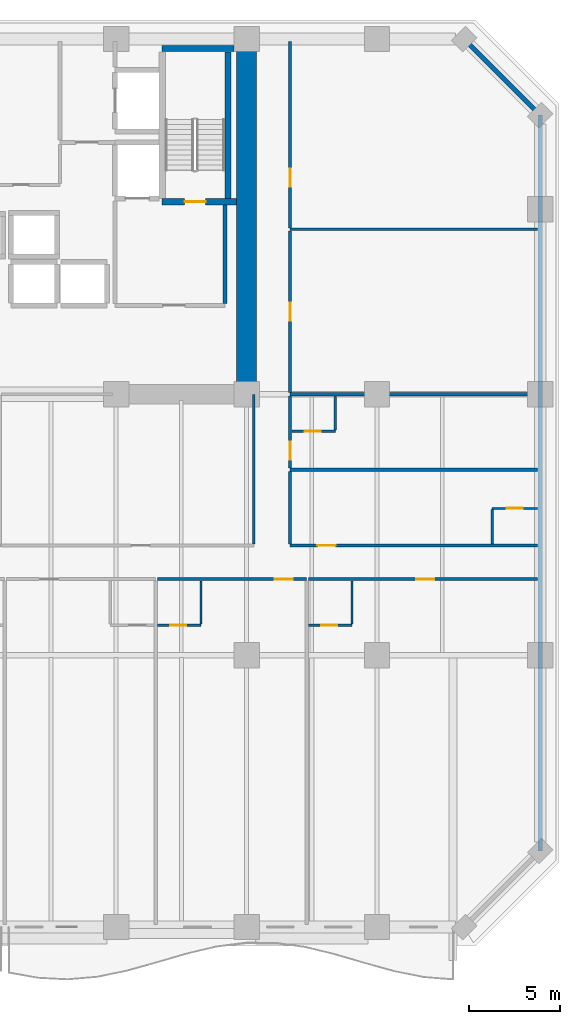
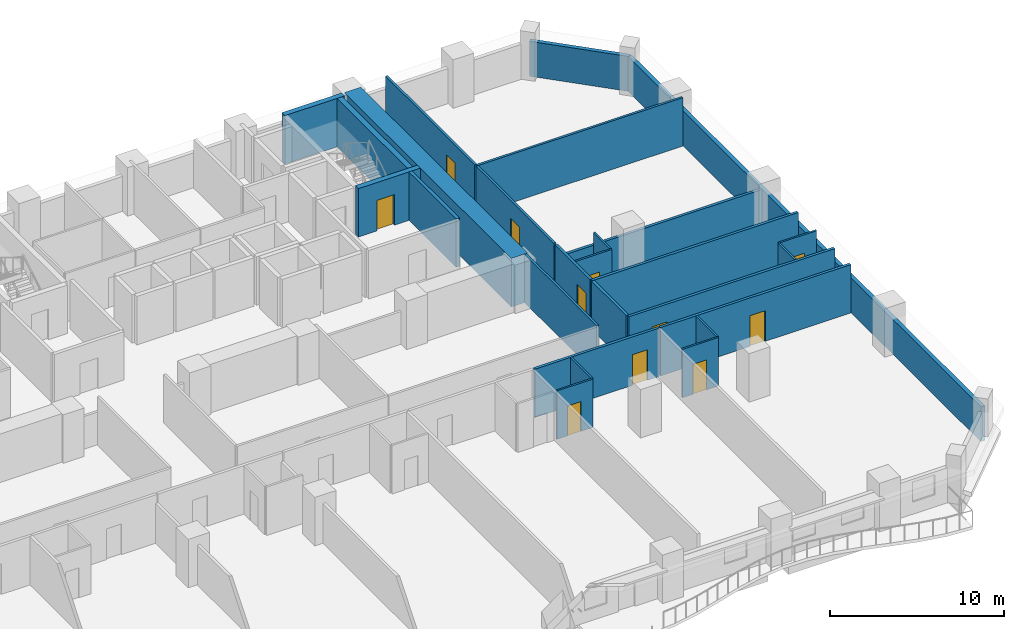
# One storey, part 9 of 14: 26 walls, 11 doors, 11 openings.
"""IFC4 building model written with IfcOpenShell, lengths in metres."""

from ifc_helpers import new_model, si_unit, direction, frame, frame_2d, origin, place, context, subcontext, project, spatial, rectangle, extrude, material, layer, layer_set, type_object, element, fill, save


model = new_model("IFC4")

# Units and contexts
model_context = context("Model", 3, precision=1e-05, world=origin(), true_north=direction((0.0, 1.0)))
body_context = subcontext(model_context, "Body", "Model", "MODEL_VIEW")
ifc_project = project(units=[si_unit("LENGTHUNIT", "METRE"), si_unit("AREAUNIT", "SQUARE_METRE"), si_unit("VOLUMEUNIT", "CUBIC_METRE"), si_unit("PLANEANGLEUNIT", "RADIAN"), si_unit("MASSUNIT", "GRAM", prefix="KILO")], contexts=[model_context])

# Site, building, storey
site_placement = place(None, origin())
site = spatial("IfcSite", under=ifc_project, at=site_placement, CompositionType="ELEMENT")
building_placement = place(site_placement, origin())
building = spatial("IfcBuilding", under=site, at=building_placement, Name="Kaelvorn Grand Hotel", CompositionType="ELEMENT")
storey_placement = place(building_placement, frame((0.0, 0.0, 76.39990234375)))
storey = spatial("IfcBuildingStorey", under=building, at=storey_placement, Name="L17", CompositionType="ELEMENT", Elevation=76.39990234375)

# Walls
ifc_material_1 = material(Name="Concrete C80/95", Category="concrete")
ifc_layer_1 = layer(ifc_material_1, 1.10009765625)
ifc_layer_set_1 = layer_set([ifc_layer_1], Name="Concrete C80/95")
wall_type_1 = type_object("IfcWallType", Name="WL-CORE-1100-C80", PredefinedType="SHEAR", material=ifc_layer_set_1)
wall_1_placement = place(storey_placement, frame((67.800048828125, 29.39990234375, 0.0), z_axis=(0.0, 0.0, 1.0), x_axis=(0.0, 1.0, 0.0)))
element("IfcWall", 1, at=wall_1_placement, inside=storey, type_object=wall_type_1, Name="L17 Rear-Core East Shear Wall", PredefinedType="SHEAR", context=body_context, shape_type="SweptSolid", body=[
    extrude(rectangle(XDim=19.2001953125, YDim=1.10009765625, at=frame_2d((9.60009765625, 0.0))), origin(), (0.0, 0.0, 1.0), 3.400146484375),
])
ifc_material_2 = material(Name="Concrete C40/50", Category="concrete")
ifc_layer_2 = layer(ifc_material_2, 0.260009765625)
ifc_layer_set_2 = layer_set([ifc_layer_2], Name="Concrete C40/50")
wall_type_2 = type_object("IfcWallType", Name="WL-EXT-260-C40", PredefinedType="SOLIDWALL", material=ifc_layer_set_2)
wall_2_placement = place(storey_placement, frame((84.0, 4.199951171875, 0.0), z_axis=(0.0, 0.0, 1.0), x_axis=(0.0, 1.0, 0.0)))
element("IfcWall", 2, at=wall_2_placement, inside=storey, type_object=wall_type_2, Name="L17 Exterior Architectural Concrete Wall 03", PredefinedType="SOLIDWALL", context=body_context, shape_type="SweptSolid", body=[
    extrude(rectangle(XDim=40.60009765625, YDim=0.260009765625, at=frame_2d((20.300048828125, 0.0))), origin(), (0.0, 0.0, 1.0), 2.4501953125),
])
wall_3_placement = place(storey_placement, frame((84.0, 44.800048828125, 0.0), z_axis=(0.0, 0.0, 1.0), x_axis=(-0.707106781187, 0.707106781187, 0.0)))
element("IfcWall", 3, at=wall_3_placement, inside=storey, type_object=wall_type_2, Name="L17 Exterior Architectural Concrete Wall 04", PredefinedType="SOLIDWALL", context=body_context, shape_type="SweptSolid", body=[
    extrude(rectangle(XDim=5.939697265625, YDim=0.260009765625, at=frame_2d((2.9697265625, 0.0))), origin(), (0.0, 0.0, 1.0), 2.4501953125),
])

# Wall, opening, door
ifc_material_3 = material(Name="Moisture-Resistant Tile & Stud Board")
ifc_layer_3 = layer(ifc_material_3, 0.125)
ifc_layer_set_3 = layer_set([ifc_layer_3], Name="Moisture-Resistant Tile & Stud Board")
wall_type_3 = type_object("IfcWallType", Name="WL-PART-125-WET", PredefinedType="PARTITIONING", material=ifc_layer_set_3)
wall_4_placement = place(storey_placement, frame((62.8779296875, 16.64990234375, 0.0), z_axis=(0.0, 0.0, 1.0), x_axis=(1.0, 0.0, 0.0)))
wall_4 = element("IfcWall", 4, at=wall_4_placement, inside=storey, type_object=wall_type_3, Name="L17 En-suite Bathroom L17-08 S Partition", PredefinedType="PARTITIONING", context=body_context, shape_type="SweptSolid", body=[
    extrude(rectangle(XDim=2.405029296875, YDim=0.125, at=frame_2d((1.20263671875, 0.0))), origin(), (0.0, 0.0, 1.0), 3.400146484375),
])
opening_1_placement = place(wall_4_placement, frame((0.705078125, 0.0, 0.0)))
opening_1 = element("IfcOpeningElement", 5, at=opening_1_placement, cuts=wall_4, Name="Opening DI4", PredefinedType="OPENING", context=body_context, shape_type="SweptSolid", body=[
    extrude(rectangle(XDim=0.89990234375, YDim=2.10009765625, at=frame_2d((0.449951171875, 1.050048828125))), frame((0.0, 0.072509765625, 0.0), z_axis=(0.0, -1.0, 0.0), x_axis=(1.0, 0.0, 0.0)), (0.0, 0.0, 1.0), 0.14501953125),
])
ifc_material_4 = material(Name="Timber Veneer Leaf", Category="wood")
door_type_1 = type_object("IfcDoorType", Name="DR-INT-BATH-900x2100", OperationType="NOTDEFINED", PredefinedType="DOOR", material=ifc_material_4)
door_1_placement = place(opening_1_placement, origin())
door_1 = element("IfcDoor", 6, at=door_1_placement, inside=storey, type_object=door_type_1, Name="L17 En-suite Bathroom L17-08 Door", OperationType="SINGLE_SWING_RIGHT", OverallHeight=2.10009765625, OverallWidth=0.89990234375, PredefinedType="DOOR", context=body_context, shape_type="SweptSolid", body=[
    extrude(rectangle(XDim=0.89990234375, YDim=2.10009765625, at=frame_2d((0.449951171875, 1.050048828125))), frame((0.0, 0.02490234375, 0.0), z_axis=(0.0, -1.0, 0.0), x_axis=(1.0, 0.0, 0.0)), (0.0, 0.0, 1.0), 0.050048828125),
])
fill(opening_1, door_1)

# Wall
wall_5_placement = place(storey_placement, frame((65.282958984375, 16.717529296875, 0.0), z_axis=(0.0, 0.0, 1.0), x_axis=(0.0, 1.0, 0.0)))
element("IfcWall", 7, at=wall_5_placement, inside=storey, type_object=wall_type_3, Name="L17 En-suite Bathroom L17-08 E Partition", PredefinedType="PARTITIONING", context=body_context, shape_type="SweptSolid", body=[
    extrude(rectangle(XDim=2.387451171875, YDim=0.125, at=frame_2d((1.19384765625, 0.0))), origin(), (0.0, 0.0, 1.0), 3.400146484375),
])

# Wall, opening, door
wall_6_placement = place(storey_placement, frame((71.211181640625, 16.64990234375, 0.0), z_axis=(0.0, 0.0, 1.0), x_axis=(1.0, 0.0, 0.0)))
wall_6 = element("IfcWall", 8, at=wall_6_placement, inside=storey, type_object=wall_type_3, Name="L17 En-suite Bathroom L17-09 S Partition", PredefinedType="PARTITIONING", context=body_context, shape_type="SweptSolid", body=[
    extrude(rectangle(XDim=2.405029296875, YDim=0.125, at=frame_2d((1.20263671875, 0.0))), origin(), (0.0, 0.0, 1.0), 3.400146484375),
])
opening_2_placement = place(wall_6_placement, frame((0.705078125, 0.0, 0.0)))
opening_2 = element("IfcOpeningElement", 9, at=opening_2_placement, cuts=wall_6, Name="Opening DI4", PredefinedType="OPENING", context=body_context, shape_type="SweptSolid", body=[
    extrude(rectangle(XDim=0.89990234375, YDim=2.10009765625, at=frame_2d((0.449951171875, 1.050048828125))), frame((0.0, 0.072509765625, 0.0), z_axis=(0.0, -1.0, 0.0), x_axis=(1.0, 0.0, 0.0)), (0.0, 0.0, 1.0), 0.14501953125),
])
door_2_placement = place(opening_2_placement, origin())
door_2 = element("IfcDoor", 10, at=door_2_placement, inside=storey, type_object=door_type_1, Name="L17 En-suite Bathroom L17-09 Door", OperationType="SINGLE_SWING_RIGHT", OverallHeight=2.10009765625, OverallWidth=0.89990234375, PredefinedType="DOOR", context=body_context, shape_type="SweptSolid", body=[
    extrude(rectangle(XDim=0.89990234375, YDim=2.10009765625, at=frame_2d((0.449951171875, 1.050048828125))), frame((0.0, 0.02490234375, 0.0), z_axis=(0.0, -1.0, 0.0), x_axis=(1.0, 0.0, 0.0)), (0.0, 0.0, 1.0), 0.050048828125),
])
fill(opening_2, door_2)

# Wall
wall_7_placement = place(storey_placement, frame((73.6162109375, 16.717529296875, 0.0), z_axis=(0.0, 0.0, 1.0), x_axis=(0.0, 1.0, 0.0)))
element("IfcWall", 11, at=wall_7_placement, inside=storey, type_object=wall_type_3, Name="L17 En-suite Bathroom L17-09 E Partition", PredefinedType="PARTITIONING", context=body_context, shape_type="SweptSolid", body=[
    extrude(rectangle(XDim=2.387451171875, YDim=0.125, at=frame_2d((1.19384765625, 0.0))), origin(), (0.0, 0.0, 1.0), 3.400146484375),
])

# Wall, opening, door
wall_8_placement = place(storey_placement, frame((81.35009765625, 23.10009765625, 0.0), z_axis=(0.0, 0.0, 1.0), x_axis=(1.0, 0.0, 0.0)))
wall_8 = element("IfcWall", 12, at=wall_8_placement, inside=storey, type_object=wall_type_3, Name="L17 En-suite Bathroom L17-12 N Partition", PredefinedType="PARTITIONING", context=body_context, shape_type="SweptSolid", body=[
    extrude(rectangle(XDim=2.5, YDim=0.125, at=frame_2d((1.25, 0.0))), origin(), (0.0, 0.0, 1.0), 3.400146484375),
])
opening_3_placement = place(wall_8_placement, frame((0.800048828125, 0.0, 0.0)))
opening_3 = element("IfcOpeningElement", 13, at=opening_3_placement, cuts=wall_8, Name="Opening DI4", PredefinedType="OPENING", context=body_context, shape_type="SweptSolid", body=[
    extrude(rectangle(XDim=0.89990234375, YDim=2.10009765625, at=frame_2d((0.449951171875, 1.050048828125))), frame((0.0, 0.072509765625, 0.0), z_axis=(0.0, -1.0, 0.0), x_axis=(1.0, 0.0, 0.0)), (0.0, 0.0, 1.0), 0.14501953125),
])
door_3_placement = place(opening_3_placement, origin())
door_3 = element("IfcDoor", 14, at=door_3_placement, inside=storey, type_object=door_type_1, Name="L17 En-suite Bathroom L17-12 Door", OperationType="SINGLE_SWING_RIGHT", OverallHeight=2.10009765625, OverallWidth=0.89990234375, PredefinedType="DOOR", context=body_context, shape_type="SweptSolid", body=[
    extrude(rectangle(XDim=0.89990234375, YDim=2.10009765625, at=frame_2d((0.449951171875, 1.050048828125))), frame((0.0, 0.02490234375, 0.0), z_axis=(0.0, -1.0, 0.0), x_axis=(1.0, 0.0, 0.0)), (0.0, 0.0, 1.0), 0.050048828125),
])
fill(opening_3, door_3)

# Wall
wall_9_placement = place(storey_placement, frame((81.35009765625, 21.14501953125, 0.0), z_axis=(0.0, 0.0, 1.0), x_axis=(0.0, 1.0, 0.0)))
element("IfcWall", 15, at=wall_9_placement, inside=storey, type_object=wall_type_3, Name="L17 En-suite Bathroom L17-12 W Partition", PredefinedType="PARTITIONING", context=body_context, shape_type="SweptSolid", body=[
    extrude(rectangle(XDim=1.887451171875, YDim=0.125, at=frame_2d((0.94384765625, 0.0))), origin(), (0.0, 0.0, 1.0), 3.400146484375),
])

# Wall, opening, door
wall_10_placement = place(storey_placement, frame((70.294921875, 27.35009765625, 0.0), z_axis=(0.0, 0.0, 1.0), x_axis=(1.0, 0.0, 0.0)))
wall_10 = element("IfcWall", 16, at=wall_10_placement, inside=storey, type_object=wall_type_3, Name="L17 En-suite Bathroom L17-13 S Partition", PredefinedType="PARTITIONING", context=body_context, shape_type="SweptSolid", body=[
    extrude(rectangle(XDim=2.405029296875, YDim=0.125, at=frame_2d((1.20263671875, 0.0))), origin(), (0.0, 0.0, 1.0), 3.400146484375),
])
opening_4_placement = place(wall_10_placement, frame((0.705078125, 0.0, 0.0)))
opening_4 = element("IfcOpeningElement", 17, at=opening_4_placement, cuts=wall_10, Name="Opening DI4", PredefinedType="OPENING", context=body_context, shape_type="SweptSolid", body=[
    extrude(rectangle(XDim=0.89990234375, YDim=2.10009765625, at=frame_2d((0.449951171875, 1.050048828125))), frame((0.0, 0.072509765625, 0.0), z_axis=(0.0, -1.0, 0.0), x_axis=(1.0, 0.0, 0.0)), (0.0, 0.0, 1.0), 0.14501953125),
])
door_4_placement = place(opening_4_placement, origin())
door_4 = element("IfcDoor", 18, at=door_4_placement, inside=storey, type_object=door_type_1, Name="L17 En-suite Bathroom L17-13 Door", OperationType="SINGLE_SWING_RIGHT", OverallHeight=2.10009765625, OverallWidth=0.89990234375, PredefinedType="DOOR", context=body_context, shape_type="SweptSolid", body=[
    extrude(rectangle(XDim=0.89990234375, YDim=2.10009765625, at=frame_2d((0.449951171875, 1.050048828125))), frame((0.0, 0.02490234375, 0.0), z_axis=(0.0, -1.0, 0.0), x_axis=(1.0, 0.0, 0.0)), (0.0, 0.0, 1.0), 0.050048828125),
])
fill(opening_4, door_4)

# Walls
wall_11_placement = place(storey_placement, frame((72.699951171875, 27.41748046875, 0.0), z_axis=(0.0, 0.0, 1.0), x_axis=(0.0, 1.0, 0.0)))
element("IfcWall", 19, at=wall_11_placement, inside=storey, type_object=wall_type_3, Name="L17 En-suite Bathroom L17-13 E Partition", PredefinedType="PARTITIONING", context=body_context, shape_type="SweptSolid", body=[
    extrude(rectangle(XDim=1.887451171875, YDim=0.125, at=frame_2d((0.94384765625, 0.0))), origin(), (0.0, 0.0, 1.0), 3.400146484375),
])
ifc_material_5 = material(Name="Acoustic Gypsum & Stud Partition")
ifc_layer_4 = layer(ifc_material_5, 0.14990234375)
ifc_layer_set_4 = layer_set([ifc_layer_4], Name="Acoustic Gypsum & Stud Partition")
wall_type_4 = type_object("IfcWallType", Name="WL-PART-150-EI60", PredefinedType="PARTITIONING", material=ifc_layer_set_4)
wall_12_placement = place(storey_placement, frame((68.199951171875, 21.1298828125, 0.0), z_axis=(0.0, 0.0, 1.0), x_axis=(0.0, 1.0, 0.0)))
element("IfcWall", 20, at=wall_12_placement, inside=storey, type_object=wall_type_4, Name="L17 Press Briefing Office E Partition", PredefinedType="PARTITIONING", context=body_context, shape_type="SweptSolid", body=[
    extrude(rectangle(XDim=8.260009765625, YDim=0.14990234375, at=frame_2d((4.1298828125, 0.0))), origin(), (0.0, 0.0, 1.0), 3.400146484375),
])
wall_13_placement = place(storey_placement, frame((70.199951171875, 38.5, 0.0), z_axis=(0.0, 0.0, 1.0), x_axis=(1.0, 0.0, 0.0)))
element("IfcWall", 21, at=wall_13_placement, inside=storey, type_object=wall_type_4, Name="L17 North-East Press Briefing Office N Partition", PredefinedType="PARTITIONING", context=body_context, shape_type="SweptSolid", body=[
    extrude(rectangle(XDim=13.650146484375, YDim=0.14990234375, at=frame_2d((6.8251953125, 0.0))), origin(), (0.0, 0.0, 1.0), 3.400146484375),
])

# Wall, opening, door
wall_14_placement = place(storey_placement, frame((70.199951171875, 29.4951171875, 0.0), z_axis=(0.0, 0.0, 1.0), x_axis=(0.0, 1.0, 0.0)))
wall_14 = element("IfcWall", 22, at=wall_14_placement, inside=storey, type_object=wall_type_4, Name="L17 North-East Press Briefing Office W Partition", PredefinedType="PARTITIONING", context=body_context, shape_type="SweptSolid", body=[
    extrude(rectangle(XDim=8.9248046875, YDim=0.14990234375, at=frame_2d((4.46240234375, 0.0))), origin(), (0.0, 0.0, 1.0), 3.400146484375),
])
opening_5_placement = place(wall_14_placement, frame((3.955078125, 0.0, 0.0)))
opening_5 = element("IfcOpeningElement", 23, at=opening_5_placement, cuts=wall_14, Name="Opening DI3", PredefinedType="OPENING", context=body_context, shape_type="SweptSolid", body=[
    extrude(rectangle(XDim=1.0, YDim=2.14990234375, at=frame_2d((0.5, 1.074951171875))), frame((0.0, 0.0849609375, 0.0), z_axis=(0.0, -1.0, 0.0), x_axis=(1.0, 0.0, 0.0)), (0.0, 0.0, 1.0), 0.169921875),
])
ifc_material_6 = material(Name="Timber Veneer Fire Leaf", Category="wood")
door_type_2 = type_object("IfcDoorType", Name="DR-INT-GUEST-1000x2150", OperationType="NOTDEFINED", PredefinedType="DOOR", material=ifc_material_6)
door_5_placement = place(opening_5_placement, origin())
door_5 = element("IfcDoor", 24, at=door_5_placement, inside=storey, type_object=door_type_2, Name="L17 North-East Press Briefing Office Door", OperationType="SINGLE_SWING_LEFT", OverallHeight=2.14990234375, OverallWidth=1.0, PredefinedType="DOOR", context=body_context, shape_type="SweptSolid", body=[
    extrude(rectangle(XDim=1.0, YDim=2.14990234375, at=frame_2d((0.5, 1.074951171875))), frame((0.0, 0.02490234375, 0.0), z_axis=(0.0, -1.0, 0.0), x_axis=(1.0, 0.0, 0.0)), (0.0, 0.0, 1.0), 0.050048828125),
])
fill(opening_5, door_5)

wall_15_placement = place(storey_placement, frame((70.199951171875, 38.580078125, 0.0), z_axis=(0.0, 0.0, 1.0), x_axis=(0.0, 1.0, 0.0)))
wall_15 = element("IfcWall", 25, at=wall_15_placement, inside=storey, type_object=wall_type_4, Name="L17 North-East Private Cinema Lounge W Partition", PredefinedType="PARTITIONING", context=body_context, shape_type="SweptSolid", body=[
    extrude(rectangle(XDim=10.27001953125, YDim=0.14990234375, at=frame_2d((5.135009765625, 0.0))), origin(), (0.0, 0.0, 1.0), 3.400146484375),
])
opening_6_placement = place(wall_15_placement, frame((2.27001953125, 0.0, 0.0)))
opening_6 = element("IfcOpeningElement", 26, at=opening_6_placement, cuts=wall_15, Name="Opening DI3", PredefinedType="OPENING", context=body_context, shape_type="SweptSolid", body=[
    extrude(rectangle(XDim=1.0, YDim=2.14990234375, at=frame_2d((0.5, 1.074951171875))), frame((0.0, 0.0849609375, 0.0), z_axis=(0.0, -1.0, 0.0), x_axis=(1.0, 0.0, 0.0)), (0.0, 0.0, 1.0), 0.169921875),
])
door_6_placement = place(opening_6_placement, origin())
door_6 = element("IfcDoor", 27, at=door_6_placement, inside=storey, type_object=door_type_2, Name="L17 North-East Private Cinema Lounge Door", OperationType="SINGLE_SWING_RIGHT", OverallHeight=2.14990234375, OverallWidth=1.0, PredefinedType="DOOR", context=body_context, shape_type="SweptSolid", body=[
    extrude(rectangle(XDim=1.0, YDim=2.14990234375, at=frame_2d((0.5, 1.074951171875))), frame((0.0, 0.02490234375, 0.0), z_axis=(0.0, -1.0, 0.0), x_axis=(1.0, 0.0, 0.0)), (0.0, 0.0, 1.0), 0.050048828125),
])
fill(opening_6, door_6)

ifc_layer_5 = layer(ifc_material_5, 0.179931640625)
ifc_layer_set_5 = layer_set([ifc_layer_5], Name="Acoustic Gypsum & Stud Partition")
wall_type_5 = type_object("IfcWallType", Name="WL-PART-180-EI60", PredefinedType="PARTITIONING", material=ifc_layer_set_5)
wall_16_placement = place(storey_placement, frame((62.8779296875, 19.199951171875, 0.0), z_axis=(0.0, 0.0, 1.0), x_axis=(1.0, 0.0, 0.0)))
wall_16 = element("IfcWall", 28, at=wall_16_placement, inside=storey, type_object=wall_type_5, Name="L17 Deluxe Panoramic Suite L17-08 N Partition", PredefinedType="PARTITIONING", context=body_context, shape_type="SweptSolid", body=[
    extrude(rectangle(XDim=8.23828125, YDim=0.179931640625, at=frame_2d((4.119140625, 0.0))), origin(), (0.0, 0.0, 1.0), 3.400146484375),
])
opening_7_placement = place(wall_16_placement, frame((6.47021484375, 0.0, 0.0)))
opening_7 = element("IfcOpeningElement", 29, at=opening_7_placement, cuts=wall_16, Name="Opening DI3", PredefinedType="OPENING", context=body_context, shape_type="SweptSolid", body=[
    extrude(rectangle(XDim=1.0, YDim=2.14990234375, at=frame_2d((0.5, 1.074951171875))), frame((0.0, 0.10009765625, 0.0), z_axis=(0.0, -1.0, 0.0), x_axis=(1.0, 0.0, 0.0)), (0.0, 0.0, 1.0), 0.199951171875),
])
door_7_placement = place(opening_7_placement, origin())
door_7 = element("IfcDoor", 30, at=door_7_placement, inside=storey, type_object=door_type_2, Name="L17 Deluxe Panoramic Suite L17-08 Door", OperationType="SINGLE_SWING_LEFT", OverallHeight=2.14990234375, OverallWidth=1.0, PredefinedType="DOOR", context=body_context, shape_type="SweptSolid", body=[
    extrude(rectangle(XDim=1.0, YDim=2.14990234375, at=frame_2d((0.5, 1.074951171875))), frame((0.0, 0.02490234375, 0.0), z_axis=(0.0, -1.0, 0.0), x_axis=(1.0, 0.0, 0.0)), (0.0, 0.0, 1.0), 0.050048828125),
])
fill(opening_7, door_7)

wall_17_placement = place(storey_placement, frame((71.211181640625, 19.199951171875, 0.0), z_axis=(0.0, 0.0, 1.0), x_axis=(1.0, 0.0, 0.0)))
wall_17 = element("IfcWall", 31, at=wall_17_placement, inside=storey, type_object=wall_type_5, Name="L17 Presidential Sky Suite L17-09 N Partition", PredefinedType="PARTITIONING", context=body_context, shape_type="SweptSolid", body=[
    extrude(rectangle(XDim=12.638916015625, YDim=0.179931640625, at=frame_2d((6.3193359375, 0.0))), origin(), (0.0, 0.0, 1.0), 3.400146484375),
])
opening_8_placement = place(wall_17_placement, frame((5.95361328125, 0.0, 0.0)))
opening_8 = element("IfcOpeningElement", 32, at=opening_8_placement, cuts=wall_17, Name="Opening DI3", PredefinedType="OPENING", context=body_context, shape_type="SweptSolid", body=[
    extrude(rectangle(XDim=1.0, YDim=2.14990234375, at=frame_2d((0.5, 1.074951171875))), frame((0.0, 0.10009765625, 0.0), z_axis=(0.0, -1.0, 0.0), x_axis=(1.0, 0.0, 0.0)), (0.0, 0.0, 1.0), 0.199951171875),
])
door_8_placement = place(opening_8_placement, origin())
door_8 = element("IfcDoor", 33, at=door_8_placement, inside=storey, type_object=door_type_2, Name="L17 Presidential Sky Suite L17-09 Door", OperationType="SINGLE_SWING_LEFT", OverallHeight=2.14990234375, OverallWidth=1.0, PredefinedType="DOOR", context=body_context, shape_type="SweptSolid", body=[
    extrude(rectangle(XDim=1.0, YDim=2.14990234375, at=frame_2d((0.5, 1.074951171875))), frame((0.0, 0.02490234375, 0.0), z_axis=(0.0, -1.0, 0.0), x_axis=(1.0, 0.0, 0.0)), (0.0, 0.0, 1.0), 0.050048828125),
])
fill(opening_8, door_8)

wall_18_placement = place(storey_placement, frame((70.199951171875, 21.050048828125, 0.0), z_axis=(0.0, 0.0, 1.0), x_axis=(1.0, 0.0, 0.0)))
wall_18 = element("IfcWall", 34, at=wall_18_placement, inside=storey, type_object=wall_type_5, Name="L17 East Wing Panoramic Suite L17-12 S Partition", PredefinedType="PARTITIONING", context=body_context, shape_type="SweptSolid", body=[
    extrude(rectangle(XDim=13.650146484375, YDim=0.179931640625, at=frame_2d((6.8251953125, 0.0))), origin(), (0.0, 0.0, 1.0), 3.400146484375),
])
opening_9_placement = place(wall_18_placement, frame((1.510009765625, 0.0, 0.0)))
opening_9 = element("IfcOpeningElement", 35, at=opening_9_placement, cuts=wall_18, Name="Opening DI3", PredefinedType="OPENING", context=body_context, shape_type="SweptSolid", body=[
    extrude(rectangle(XDim=1.0, YDim=2.14990234375, at=frame_2d((0.5, 1.074951171875))), frame((0.0, 0.10009765625, 0.0), z_axis=(0.0, -1.0, 0.0), x_axis=(1.0, 0.0, 0.0)), (0.0, 0.0, 1.0), 0.199951171875),
])
door_9_placement = place(opening_9_placement, origin())
door_9 = element("IfcDoor", 36, at=door_9_placement, inside=storey, type_object=door_type_2, Name="L17 East Wing Panoramic Suite L17-12 Door", OperationType="SINGLE_SWING_LEFT", OverallHeight=2.14990234375, OverallWidth=1.0, PredefinedType="DOOR", context=body_context, shape_type="SweptSolid", body=[
    extrude(rectangle(XDim=1.0, YDim=2.14990234375, at=frame_2d((0.5, 1.074951171875))), frame((0.0, 0.02490234375, 0.0), z_axis=(0.0, -1.0, 0.0), x_axis=(1.0, 0.0, 0.0)), (0.0, 0.0, 1.0), 0.050048828125),
])
fill(opening_9, door_9)

# Walls
wall_19_placement = place(storey_placement, frame((70.199951171875, 25.22998046875, 0.0), z_axis=(0.0, 0.0, 1.0), x_axis=(1.0, 0.0, 0.0)))
element("IfcWall", 37, at=wall_19_placement, inside=storey, type_object=wall_type_5, Name="L17 East Wing Panoramic Suite L17-12 N Partition", PredefinedType="PARTITIONING", context=body_context, shape_type="SweptSolid", body=[
    extrude(rectangle(XDim=13.650146484375, YDim=0.179931640625, at=frame_2d((6.8251953125, 0.0))), origin(), (0.0, 0.0, 1.0), 3.400146484375),
])
wall_20_placement = place(storey_placement, frame((70.199951171875, 21.14501953125, 0.0), z_axis=(0.0, 0.0, 1.0), x_axis=(0.0, 1.0, 0.0)))
element("IfcWall", 38, at=wall_20_placement, inside=storey, type_object=wall_type_5, Name="L17 East Wing Panoramic Suite L17-12 W Partition", PredefinedType="PARTITIONING", context=body_context, shape_type="SweptSolid", body=[
    extrude(rectangle(XDim=3.989990234375, YDim=0.179931640625, at=frame_2d((1.9951171875, 0.0))), origin(), (0.0, 0.0, 1.0), 3.400146484375),
])
wall_21_placement = place(storey_placement, frame((70.199951171875, 29.39990234375, 0.0), z_axis=(0.0, 0.0, 1.0), x_axis=(1.0, 0.0, 0.0)))
element("IfcWall", 39, at=wall_21_placement, inside=storey, type_object=wall_type_5, Name="L17 East Mid-Wing Suite L17-13 N Partition", PredefinedType="PARTITIONING", context=body_context, shape_type="SweptSolid", body=[
    extrude(rectangle(XDim=13.650146484375, YDim=0.179931640625, at=frame_2d((6.8251953125, 0.0))), origin(), (0.0, 0.0, 1.0), 2.489990234375),
])

# Wall, opening, door
wall_22_placement = place(storey_placement, frame((70.199951171875, 25.324951171875, 0.0), z_axis=(0.0, 0.0, 1.0), x_axis=(0.0, 1.0, 0.0)))
wall_22 = element("IfcWall", 40, at=wall_22_placement, inside=storey, type_object=wall_type_5, Name="L17 East Mid-Wing Suite L17-13 W Partition", PredefinedType="PARTITIONING", context=body_context, shape_type="SweptSolid", body=[
    extrude(rectangle(XDim=3.97998046875, YDim=0.179931640625, at=frame_2d((1.989990234375, 0.0))), origin(), (0.0, 0.0, 1.0), 3.400146484375),
])
opening_10_placement = place(wall_22_placement, frame((0.465087890625, 0.0, 0.0)))
opening_10 = element("IfcOpeningElement", 41, at=opening_10_placement, cuts=wall_22, Name="Opening DI3", PredefinedType="OPENING", context=body_context, shape_type="SweptSolid", body=[
    extrude(rectangle(XDim=1.0, YDim=2.14990234375, at=frame_2d((0.5, 1.074951171875))), frame((0.0, 0.10009765625, 0.0), z_axis=(0.0, -1.0, 0.0), x_axis=(1.0, 0.0, 0.0)), (0.0, 0.0, 1.0), 0.199951171875),
])
door_10_placement = place(opening_10_placement, origin())
door_10 = element("IfcDoor", 42, at=door_10_placement, inside=storey, type_object=door_type_2, Name="L17 East Mid-Wing Suite L17-13 Door", OperationType="SINGLE_SWING_LEFT", OverallHeight=2.14990234375, OverallWidth=1.0, PredefinedType="DOOR", context=body_context, shape_type="SweptSolid", body=[
    extrude(rectangle(XDim=1.0, YDim=2.14990234375, at=frame_2d((0.5, 1.074951171875))), frame((0.0, 0.02490234375, 0.0), z_axis=(0.0, -1.0, 0.0), x_axis=(1.0, 0.0, 0.0)), (0.0, 0.0, 1.0), 0.050048828125),
])
fill(opening_10, door_10)

# Wall
ifc_layer_6 = layer(ifc_material_2, 0.219970703125)
ifc_layer_set_6 = layer_set([ifc_layer_6], Name="Concrete C40/50")
wall_type_6 = type_object("IfcWallType", Name="WL-PART-220-EI120", PredefinedType="PARTITIONING", material=ifc_layer_set_6)
wall_23_placement = place(storey_placement, frame((66.60009765625, 34.4150390625, 0.0), z_axis=(0.0, 0.0, 1.0), x_axis=(0.0, 1.0, 0.0)))
element("IfcWall", 43, at=wall_23_placement, inside=storey, type_object=wall_type_6, Name="L17 Firefighting Lift Lobby 2 E Partition", PredefinedType="PARTITIONING", context=body_context, shape_type="SweptSolid", body=[
    extrude(rectangle(XDim=5.429931640625, YDim=0.219970703125, at=frame_2d((2.71484375, 0.0))), origin(), (0.0, 0.0, 1.0), 3.400146484375),
])

# Wall, opening, door
ifc_material_7 = material(Name="Concrete C60/75", Category="concrete")
ifc_layer_7 = layer(ifc_material_7, 0.35009765625)
ifc_layer_set_7 = layer_set([ifc_layer_7], Name="Concrete C60/75")
wall_type_7 = type_object("IfcWallType", Name="WL-SHAFT-350-C60", PredefinedType="SHEAR", material=ifc_layer_set_7)
wall_24_placement = place(storey_placement, frame((63.14501953125, 40.02490234375, 0.0), z_axis=(0.0, 0.0, 1.0), x_axis=(1.0, 0.0, 0.0)))
wall_24 = element("IfcWall", 44, at=wall_24_placement, inside=storey, type_object=wall_type_7, Name="L17 ST3 Stair Shaft South Wall", PredefinedType="SHEAR", context=body_context, shape_type="SweptSolid", body=[
    extrude(rectangle(XDim=4.10009765625, YDim=0.35009765625, at=frame_2d((2.050048828125, 0.0))), origin(), (0.0, 0.0, 1.0), 3.400146484375),
])
opening_11_placement = place(wall_24_placement, frame((1.239990234375, 0.0, 0.0)))
opening_11 = element("IfcOpeningElement", 45, at=opening_11_placement, cuts=wall_24, Name="Opening DI1", PredefinedType="OPENING", context=body_context, shape_type="SweptSolid", body=[
    extrude(rectangle(XDim=1.14990234375, YDim=2.14990234375, at=frame_2d((0.574951171875, 1.074951171875))), frame((0.0, 0.18505859375, 0.0), z_axis=(0.0, -1.0, 0.0), x_axis=(1.0, 0.0, 0.0)), (0.0, 0.0, 1.0), 0.3701171875),
])
door_type_3 = type_object("IfcDoorType", Name="DR-INT-STAIR-1150x2150", OperationType="NOTDEFINED", PredefinedType="DOOR", material=ifc_material_6)
door_11_placement = place(opening_11_placement, origin())
door_11 = element("IfcDoor", 46, at=door_11_placement, inside=storey, type_object=door_type_3, Name="L17 ST3 Exit Stair Fire Door", OperationType="SINGLE_SWING_LEFT", OverallHeight=2.14990234375, OverallWidth=1.14990234375, PredefinedType="DOOR", context=body_context, shape_type="SweptSolid", body=[
    extrude(rectangle(XDim=1.14990234375, YDim=2.14990234375, at=frame_2d((0.574951171875, 1.074951171875))), frame((0.0, 0.02490234375, 0.0), z_axis=(0.0, -1.0, 0.0), x_axis=(1.0, 0.0, 0.0)), (0.0, 0.0, 1.0), 0.050048828125),
])
fill(opening_11, door_11)

# Walls
wall_25_placement = place(storey_placement, frame((63.14501953125, 48.47509765625, 0.0), z_axis=(0.0, 0.0, 1.0), x_axis=(1.0, 0.0, 0.0)))
element("IfcWall", 47, at=wall_25_placement, inside=storey, type_object=wall_type_7, Name="L17 ST3 Stair Shaft North Wall", PredefinedType="SHEAR", context=body_context, shape_type="SweptSolid", body=[
    extrude(rectangle(XDim=3.949951171875, YDim=0.35009765625, at=frame_2d((1.97509765625, 0.0))), origin(), (0.0, 0.0, 1.0), 3.400146484375),
])
wall_26_placement = place(storey_placement, frame((66.77490234375, 40.205078125, 0.0), z_axis=(0.0, 0.0, 1.0), x_axis=(0.0, 1.0, 0.0)))
element("IfcWall", 48, at=wall_26_placement, inside=storey, type_object=wall_type_7, Name="L17 ST3 Stair Shaft East Wall", PredefinedType="SHEAR", context=body_context, shape_type="SweptSolid", body=[
    extrude(rectangle(XDim=8.08984375, YDim=0.35009765625, at=frame_2d((4.044921875, 0.0))), origin(), (0.0, 0.0, 1.0), 3.400146484375),
])

save(model, "model.ifc")
